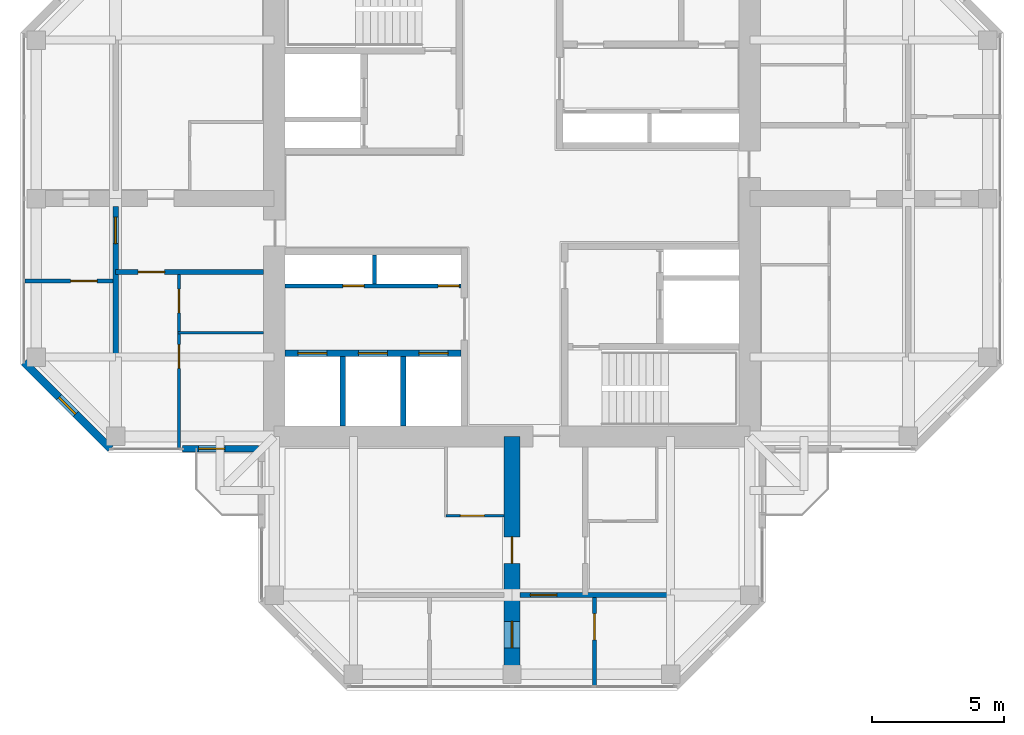
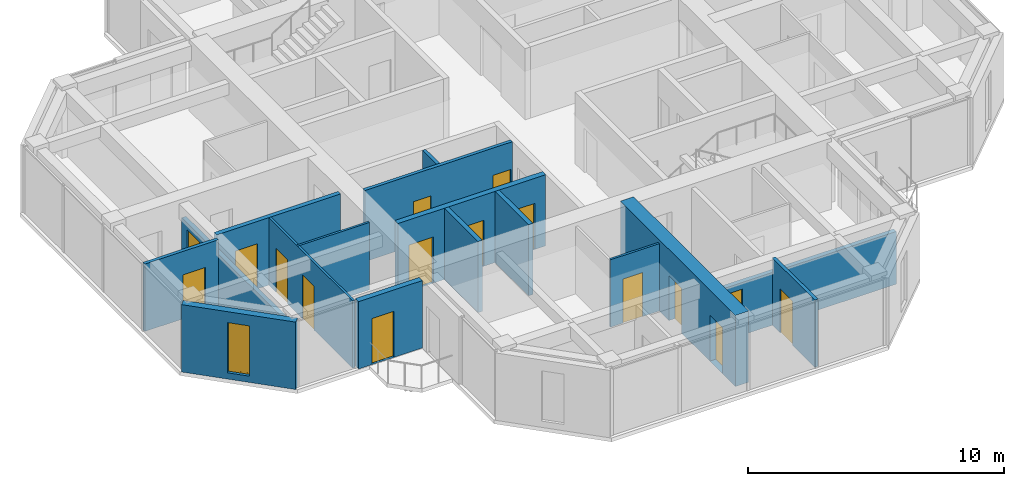
# One storey, part 8 of 13: 16 doors, 16 walls, 1 window, 17 openings.
"""IFC4 building model written with IfcOpenShell, lengths in metres."""

from ifc_helpers import new_model, si_unit, direction, frame, frame_2d, origin, place, context, subcontext, project, spatial, rectangle, hollow_rectangle, extrude, material, layer, layer_set, constituent, constituent_set, type_object, element, fill, save


model = new_model("IFC4")

# Units and contexts
model_context = context("Model", 3, precision=1e-05, world=origin(), true_north=direction((0.0, 1.0)))
body_context = subcontext(model_context, "Body", "Model", "MODEL_VIEW")
ifc_project = project(units=[si_unit("LENGTHUNIT", "METRE"), si_unit("AREAUNIT", "SQUARE_METRE"), si_unit("VOLUMEUNIT", "CUBIC_METRE"), si_unit("PLANEANGLEUNIT", "RADIAN"), si_unit("MASSUNIT", "GRAM", prefix="KILO")], contexts=[model_context])

# Site, building, storey
site_placement = place(None, origin())
site = spatial("IfcSite", under=ifc_project, at=site_placement, CompositionType="ELEMENT")
building_placement = place(site_placement, origin())
building = spatial("IfcBuilding", under=site, at=building_placement, Name="Torre Cruceta", CompositionType="ELEMENT")
storey_placement = place(building_placement, frame((0.0, 0.0, 281.5)))
storey = spatial("IfcBuildingStorey", under=building, at=storey_placement, Name="L73", CompositionType="ELEMENT", Elevation=281.5)

# Wall, opening, door
ifc_material_1 = material(Name="Water-resistant plasterboard on steel studs", Category="steel")
ifc_layer_1 = layer(ifc_material_1, 0.10009765625)
ifc_layer_set_1 = layer_set([ifc_layer_1], Name="Water-resistant plasterboard on steel studs")
wall_type_1 = type_object("IfcWallType", Name="BATHROOM WALL 100", PredefinedType="PARTITIONING", material=ifc_layer_set_1)
wall_1_placement = place(storey_placement, frame((-2.5, -12.0, 0.0), z_axis=(0.0, 0.0, 1.0), x_axis=(1.0, 0.0, 0.0)))
wall_1 = element("IfcWall", 1, at=wall_1_placement, inside=storey, type_object=wall_type_1, Name="PT4 L73-S-U1RBS", PredefinedType="PARTITIONING", context=body_context, shape_type="SweptSolid", body=[
    extrude(rectangle(XDim=2.199951171875, YDim=0.10009765625, at=frame_2d((1.10009765625, 0.0))), origin(), (0.0, 0.0, 1.0), 3.219970703125),
])
opening_1_placement = place(wall_1_placement, frame((0.550048828125, 0.0, 0.0)))
opening_1 = element("IfcOpeningElement", 2, at=opening_1_placement, cuts=wall_1, Name="Opening D7", PredefinedType="OPENING", context=body_context, shape_type="SweptSolid", body=[
    extrude(rectangle(XDim=0.89990234375, YDim=2.10009765625, at=frame_2d((0.449951171875, 1.050048828125))), frame((0.0, 0.06005859375, 0.0), z_axis=(0.0, -1.0, 0.0), x_axis=(1.0, 0.0, 0.0)), (0.0, 0.0, 1.0), 0.1201171875),
])
ifc_material_2 = material(Name="Timber door", Category="wood")
door_type_1 = type_object("IfcDoorType", Name="BATHROOM DOOR 900X2100", OperationType="SINGLE_SWING_LEFT", PredefinedType="DOOR", material=ifc_material_2)
door_1_placement = place(opening_1_placement, origin())
door_1 = element("IfcDoor", 3, at=door_1_placement, inside=storey, type_object=door_type_1, Name="D7 L73-S-U1RBS-D1", OperationType="SINGLE_SWING_LEFT", OverallHeight=2.10009765625, OverallWidth=0.89990234375, PredefinedType="DOOR", context=body_context, shape_type="SweptSolid", body=[
    extrude(rectangle(XDim=0.89990234375, YDim=2.10009765625, at=frame_2d((0.449951171875, 1.050048828125))), frame((0.0, 0.02490234375, 0.0), z_axis=(0.0, -1.0, 0.0), x_axis=(1.0, 0.0, 0.0)), (0.0, 0.0, 1.0), 0.050048828125),
])
fill(opening_1, door_1)

# Wall
wall_2_placement = place(storey_placement, frame((-9.39990234375, -5.074951171875, 0.0), z_axis=(0.0, 0.0, 1.0), x_axis=(-1.0, 0.0, 0.0)))
element("IfcWall", 4, at=wall_2_placement, inside=storey, type_object=wall_type_1, Name="PT4 L73-W-U1LBB", PredefinedType="PARTITIONING", context=body_context, shape_type="SweptSolid", body=[
    extrude(rectangle(XDim=3.25, YDim=0.10009765625, at=frame_2d((1.625, 0.0))), origin(), (0.0, 0.0, 1.0), 3.219970703125),
])

# Wall, openings, doors
wall_3_placement = place(storey_placement, frame((-12.60009765625, -2.875, 0.0), z_axis=(0.0, 0.0, 1.0), x_axis=(0.0, -1.0, 0.0)))
wall_3 = element("IfcWall", 5, at=wall_3_placement, inside=storey, type_object=wall_type_1, Name="PT4 L73-W-U1LBS", PredefinedType="PARTITIONING", context=body_context, shape_type="SweptSolid", body=[
    extrude(rectangle(XDim=6.554931640625, YDim=0.10009765625, at=frame_2d((3.27734375, 0.0))), origin(), (0.0, 0.0, 1.0), 3.219970703125),
])
opening_2_placement = place(wall_3_placement, frame((0.550048828125, 0.0, 0.0)))
opening_2 = element("IfcOpeningElement", 6, at=opening_2_placement, cuts=wall_3, Name="Opening D7", PredefinedType="OPENING", context=body_context, shape_type="SweptSolid", body=[
    extrude(rectangle(XDim=0.89990234375, YDim=2.10009765625, at=frame_2d((0.449951171875, 1.050048828125))), frame((0.0, 0.06005859375, 0.0), z_axis=(0.0, -1.0, 0.0), x_axis=(1.0, 0.0, 0.0)), (0.0, 0.0, 1.0), 0.1201171875),
])
opening_3_placement = place(wall_3_placement, frame((2.64990234375, 0.0, 0.0)))
opening_3 = element("IfcOpeningElement", 7, at=opening_3_placement, cuts=wall_3, Name="Opening D7", PredefinedType="OPENING", context=body_context, shape_type="SweptSolid", body=[
    extrude(rectangle(XDim=0.89990234375, YDim=2.10009765625, at=frame_2d((0.449951171875, 1.050048828125))), frame((0.0, 0.06005859375, 0.0), z_axis=(0.0, -1.0, 0.0), x_axis=(1.0, 0.0, 0.0)), (0.0, 0.0, 1.0), 0.1201171875),
])
door_2_placement = place(opening_2_placement, origin())
door_2 = element("IfcDoor", 8, at=door_2_placement, inside=storey, type_object=door_type_1, Name="D7 L73-W-U1LBS-D1", OperationType="SINGLE_SWING_LEFT", OverallHeight=2.10009765625, OverallWidth=0.89990234375, PredefinedType="DOOR", context=body_context, shape_type="SweptSolid", body=[
    extrude(rectangle(XDim=0.89990234375, YDim=2.10009765625, at=frame_2d((0.449951171875, 1.050048828125))), frame((0.0, 0.02490234375, 0.0), z_axis=(0.0, -1.0, 0.0), x_axis=(1.0, 0.0, 0.0)), (0.0, 0.0, 1.0), 0.050048828125),
])
fill(opening_2, door_2)
door_3_placement = place(opening_3_placement, origin())
door_3 = element("IfcDoor", 9, at=door_3_placement, inside=storey, type_object=door_type_1, Name="D7 L73-W-U1LBS-D2", OperationType="SINGLE_SWING_LEFT", OverallHeight=2.10009765625, OverallWidth=0.89990234375, PredefinedType="DOOR", context=body_context, shape_type="SweptSolid", body=[
    extrude(rectangle(XDim=0.89990234375, YDim=2.10009765625, at=frame_2d((0.449951171875, 1.050048828125))), frame((0.0, 0.02490234375, 0.0), z_axis=(0.0, -1.0, 0.0), x_axis=(1.0, 0.0, 0.0)), (0.0, 0.0, 1.0), 0.050048828125),
])
fill(opening_3, door_3)

ifc_material_3 = material(Name="Concrete G60 (fck 60 MPa)", Category="concrete")
ifc_layer_2 = layer(ifc_material_3, 0.25)
ifc_layer_set_2 = layer_set([ifc_layer_2], Name="Concrete G60 (fck 60 MPa)")
wall_type_2 = type_object("IfcWallType", Name="CORE INNER WALL 250 G60", PredefinedType="SHEAR", material=ifc_layer_set_2)
wall_4_placement = place(storey_placement, frame((-1.925048828125, -5.85009765625, 0.0), z_axis=(0.0, 0.0, 1.0), x_axis=(-1.0, 0.0, 0.0)))
wall_4 = element("IfcWall", 10, at=wall_4_placement, inside=storey, type_object=wall_type_2, Name="CW4 L73 SW-LV", PredefinedType="SHEAR", context=body_context, shape_type="SweptSolid", body=[
    extrude(rectangle(XDim=6.675048828125, YDim=0.25, at=frame_2d((3.33740234375, 0.0))), origin(), (0.0, 0.0, 1.0), 3.39990234375),
])
opening_4_placement = place(wall_4_placement, frame((0.495849609375, 0.0, 0.0)))
opening_4 = element("IfcOpeningElement", 11, at=opening_4_placement, cuts=wall_4, Name="Opening LD1", PredefinedType="OPENING", context=body_context, shape_type="SweptSolid", body=[
    extrude(rectangle(XDim=1.10009765625, YDim=2.199951171875, at=frame_2d((0.550048828125, 1.10009765625))), frame((0.0, 0.135009765625, 0.0), z_axis=(0.0, -1.0, 0.0), x_axis=(1.0, 0.0, 0.0)), (0.0, 0.0, 1.0), 0.27001953125),
])
opening_5_placement = place(wall_4_placement, frame((2.78759765625, 0.0, 0.0)))
opening_5 = element("IfcOpeningElement", 12, at=opening_5_placement, cuts=wall_4, Name="Opening LD1", PredefinedType="OPENING", context=body_context, shape_type="SweptSolid", body=[
    extrude(rectangle(XDim=1.10009765625, YDim=2.199951171875, at=frame_2d((0.550048828125, 1.10009765625))), frame((0.0, 0.135009765625, 0.0), z_axis=(0.0, -1.0, 0.0), x_axis=(1.0, 0.0, 0.0)), (0.0, 0.0, 1.0), 0.27001953125),
])
opening_6_placement = place(wall_4_placement, frame((5.0791015625, 0.0, 0.0)))
opening_6 = element("IfcOpeningElement", 13, at=opening_6_placement, cuts=wall_4, Name="Opening LD1", PredefinedType="OPENING", context=body_context, shape_type="SweptSolid", body=[
    extrude(rectangle(XDim=1.10009765625, YDim=2.199951171875, at=frame_2d((0.550048828125, 1.10009765625))), frame((0.0, 0.135009765625, 0.0), z_axis=(0.0, -1.0, 0.0), x_axis=(1.0, 0.0, 0.0)), (0.0, 0.0, 1.0), 0.27001953125),
])
ifc_material_4 = material(Name="Stainless steel 1.4401", Category="steel")
door_type_2 = type_object("IfcDoorType", Name="LIFT LANDING DOOR 1100X2200", OperationType="DOUBLE_DOOR_SLIDING", PredefinedType="DOOR", material=ifc_material_4)
door_4_placement = place(opening_4_placement, origin())
door_4 = element("IfcDoor", 14, at=door_4_placement, inside=storey, type_object=door_type_2, Name="Lift landing door R1", OperationType="DOUBLE_DOOR_SLIDING", OverallHeight=2.199951171875, OverallWidth=1.10009765625, PredefinedType="DOOR", context=body_context, shape_type="SweptSolid", body=[
    extrude(rectangle(XDim=1.10009765625, YDim=2.199951171875, at=frame_2d((0.550048828125, 1.10009765625))), frame((0.0, 0.02490234375, 0.0), z_axis=(0.0, -1.0, 0.0), x_axis=(1.0, 0.0, 0.0)), (0.0, 0.0, 1.0), 0.050048828125),
])
fill(opening_4, door_4)
door_5_placement = place(opening_5_placement, origin())
door_5 = element("IfcDoor", 15, at=door_5_placement, inside=storey, type_object=door_type_2, Name="Lift landing door R2", OperationType="DOUBLE_DOOR_SLIDING", OverallHeight=2.199951171875, OverallWidth=1.10009765625, PredefinedType="DOOR", context=body_context, shape_type="SweptSolid", body=[
    extrude(rectangle(XDim=1.10009765625, YDim=2.199951171875, at=frame_2d((0.550048828125, 1.10009765625))), frame((0.0, 0.02490234375, 0.0), z_axis=(0.0, -1.0, 0.0), x_axis=(1.0, 0.0, 0.0)), (0.0, 0.0, 1.0), 0.050048828125),
])
fill(opening_5, door_5)
door_6_placement = place(opening_6_placement, origin())
door_6 = element("IfcDoor", 16, at=door_6_placement, inside=storey, type_object=door_type_2, Name="Lift landing door R3", OperationType="DOUBLE_DOOR_SLIDING", OverallHeight=2.199951171875, OverallWidth=1.10009765625, PredefinedType="DOOR", context=body_context, shape_type="SweptSolid", body=[
    extrude(rectangle(XDim=1.10009765625, YDim=2.199951171875, at=frame_2d((0.550048828125, 1.10009765625))), frame((0.0, 0.02490234375, 0.0), z_axis=(0.0, -1.0, 0.0), x_axis=(1.0, 0.0, 0.0)), (0.0, 0.0, 1.0), 0.050048828125),
])
fill(opening_6, door_6)

# Wall, opening, door
ifc_material_5 = material(Name="Concrete G25 (fck 25 MPa)", Category="concrete")
ifc_layer_3 = layer(ifc_material_5, 0.199951171875)
ifc_layer_set_3 = layer_set([ifc_layer_3], Name="Concrete G25 (fck 25 MPa)")
wall_type_3 = type_object("IfcWallType", Name="CORRIDOR WALL 200", PredefinedType="SOLIDWALL", material=ifc_layer_set_3)
wall_5_placement = place(storey_placement, frame((-9.39990234375, -2.77490234375, 0.0), z_axis=(0.0, 0.0, 1.0), x_axis=(-1.0, 0.0, 0.0)))
wall_5 = element("IfcWall", 17, at=wall_5_placement, inside=storey, type_object=wall_type_3, Name="PT3 L73-W-CL", PredefinedType="SOLIDWALL", context=body_context, shape_type="SweptSolid", body=[
    extrude(rectangle(XDim=5.60009765625, YDim=0.199951171875, at=frame_2d((2.800048828125, 0.0))), origin(), (0.0, 0.0, 1.0), 3.219970703125),
])
opening_7_placement = place(wall_5_placement, frame((3.75, 0.0, 0.0)))
opening_7 = element("IfcOpeningElement", 18, at=opening_7_placement, cuts=wall_5, Name="Opening D6", PredefinedType="OPENING", context=body_context, shape_type="SweptSolid", body=[
    extrude(rectangle(XDim=1.0, YDim=2.14990234375, at=frame_2d((0.5, 1.074951171875))), frame((0.0, 0.10986328125, 0.0), z_axis=(0.0, -1.0, 0.0), x_axis=(1.0, 0.0, 0.0)), (0.0, 0.0, 1.0), 0.219970703125),
])
ifc_material_6 = material(Name="Timber fire door", Category="wood")
door_type_3 = type_object("IfcDoorType", Name="UNIT ENTRANCE DOOR 1000X2150", OperationType="SINGLE_SWING_LEFT", PredefinedType="DOOR", material=ifc_material_6)
door_7_placement = place(opening_7_placement, origin())
door_7 = element("IfcDoor", 19, at=door_7_placement, inside=storey, type_object=door_type_3, Name="D6 L73-W-CL-D1", OperationType="SINGLE_SWING_LEFT", OverallHeight=2.14990234375, OverallWidth=1.0, PredefinedType="DOOR", context=body_context, shape_type="SweptSolid", body=[
    extrude(rectangle(XDim=1.0, YDim=2.14990234375, at=frame_2d((0.5, 1.074951171875))), frame((0.0, 0.02490234375, 0.0), z_axis=(0.0, -1.0, 0.0), x_axis=(1.0, 0.0, 0.0)), (0.0, 0.0, 1.0), 0.050048828125),
])
fill(opening_7, door_7)

# Wall, opening, window
ifc_material_7 = material(Name="Concrete G30 (fck 30 MPa)", Category="concrete")
ifc_layer_4 = layer(ifc_material_7, 0.300048828125)
ifc_layer_set_4 = layer_set([ifc_layer_4], Name="Concrete G30 (fck 30 MPa)")
wall_type_4 = type_object("IfcWallType", Name="EXPOSED CONCRETE FACADE WALL 300", PredefinedType="SOLIDWALL", material=ifc_layer_set_4)
wall_6_placement = place(storey_placement, frame((-18.469970703125, -6.194580078125, 0.0), z_axis=(0.0, 0.0, 1.0), x_axis=(0.707106781187, -0.707106781187, 0.0)))
wall_6 = element("IfcWall", 20, at=wall_6_placement, inside=storey, type_object=wall_type_4, Name="EW1 facade wall L73 W chamfer 13", PredefinedType="SOLIDWALL", context=body_context, shape_type="SweptSolid", body=[
    extrude(rectangle(XDim=4.632080078125, YDim=0.300048828125, at=frame_2d((2.31591796875, 0.0))), origin(), (0.0, 0.0, 1.0), 3.219970703125),
])
opening_8_placement = place(wall_6_placement, frame((1.865966796875, 0.0, 0.300048828125)))
opening_8 = element("IfcOpeningElement", 21, at=opening_8_placement, cuts=wall_6, Name="Opening WN5", PredefinedType="OPENING", context=body_context, shape_type="SweptSolid", body=[
    extrude(rectangle(XDim=0.89990234375, YDim=2.39990234375, at=frame_2d((0.449951171875, 1.199951171875))), frame((0.0, 0.159912109375, 0.0), z_axis=(0.0, -1.0, 0.0), x_axis=(1.0, 0.0, 0.0)), (0.0, 0.0, 1.0), 0.320068359375),
])
ifc_material_8 = material(Name="Aluminium window frame", Category="aluminium")
ifc_constituent_1 = constituent(ifc_material_8, Name="Frame")
ifc_material_9 = material(Name="Laminated insulating glass unit, low-iron clear", Category="glass")
ifc_constituent_2 = constituent(ifc_material_9, Name="Glazing")
ifc_constituent_set_1 = constituent_set(constituents=[ifc_constituent_1, ifc_constituent_2], Name="Aluminium window")
window_type = type_object("IfcWindowType", Name="CHAMFER SLOT WINDOW 900X2400", PartitioningType="SINGLE_PANEL", PredefinedType="WINDOW", material=ifc_constituent_set_1)
window_placement = place(opening_8_placement, origin())
window = element("IfcWindow", 22, at=window_placement, inside=storey, type_object=window_type, Name="WN5 L73 W 1", OverallHeight=2.39990234375, OverallWidth=0.89990234375, PartitioningType="SINGLE_PANEL", PredefinedType="WINDOW", context=body_context, shape_type="SweptSolid", body=[
    extrude(hollow_rectangle(XDim=0.89990234375, YDim=2.39990234375, WallThickness=0.06005859375, at=frame_2d((0.449951171875, 1.199951171875))), frame((0.0, 0.030029296875, 0.0), z_axis=(0.0, -1.0, 0.0), x_axis=(1.0, 0.0, 0.0)), (0.0, 0.0, 1.0), 0.06005859375),
    extrude(rectangle(XDim=0.77880859375, YDim=2.27880859375, at=frame_2d((0.449951171875, 1.199951171875))), frame((0.0, 0.030029296875, 0.0), z_axis=(0.0, -1.0, 0.0), x_axis=(1.0, 0.0, 0.0)), (0.0, 0.0, 1.0), 0.06005859375),
])
fill(opening_8, window)

# Walls
ifc_material_10 = material(Name="Concrete G35 (fck 35 MPa)", Category="concrete")
ifc_layer_5 = layer(ifc_material_10, 0.199951171875)
ifc_layer_set_5 = layer_set([ifc_layer_5], Name="Concrete G35 (fck 35 MPa)")
wall_type_5 = type_object("IfcWallType", Name="LIFT SHAFT WALL 200", PredefinedType="PARTITIONING", material=ifc_layer_set_5)
for number, where, z_axis, x_axis, name in (
    (23, (-4.11669921875, -5.97509765625, 0.0), (0.0, 0.0, 1.0), (0.0, -1.0, 0.0), "SW1 L73 SW-LS1"),
    (24, (-6.408447265625, -5.97509765625, 0.0), (0.0, 0.0, 1.0), (0.0, -1.0, 0.0), "SW1 L73 SW-LS2"),
):
    element("IfcWall", number, at=place(storey_placement, frame(where, z_axis=z_axis, x_axis=x_axis)), inside=storey, type_object=wall_type_5, Name=name, PredefinedType="PARTITIONING", context=body_context, shape_type="SweptSolid", body=[
        extrude(rectangle(XDim=2.625, YDim=0.199951171875, at=frame_2d((1.3125, 0.0))), origin(), (0.0, 0.0, 1.0), 3.39990234375),
    ])

# Wall, opening, door
ifc_material_11 = material(Name="Plasterboard on steel studs", Category="steel")
ifc_layer_6 = layer(ifc_material_11, 0.14990234375)
ifc_layer_set_6 = layer_set([ifc_layer_6], Name="Plasterboard on steel studs")
wall_type_6 = type_object("IfcWallType", Name="PARTITION 150", PredefinedType="PARTITIONING", material=ifc_layer_set_6)
wall_7_placement = place(storey_placement, frame((3.117919921875, -15.10009765625, 0.0), z_axis=(0.0, 0.0, 1.0), x_axis=(0.0, -1.0, 0.0)))
wall_7 = element("IfcWall", 25, at=wall_7_placement, inside=storey, type_object=wall_type_6, Name="PT1 L73-S-ENDX", PredefinedType="PARTITIONING", context=body_context, shape_type="SweptSolid", body=[
    extrude(rectangle(XDim=3.329833984375, YDim=0.14990234375, at=frame_2d((1.6650390625, 0.0))), origin(), (0.0, 0.0, 1.0), 3.219970703125),
])
opening_9_placement = place(wall_7_placement, frame((0.60009765625, 0.0, 0.0)))
opening_9 = element("IfcOpeningElement", 26, at=opening_9_placement, cuts=wall_7, Name="Opening D3", PredefinedType="OPENING", context=body_context, shape_type="SweptSolid", body=[
    extrude(rectangle(XDim=1.0, YDim=2.10009765625, at=frame_2d((0.5, 1.050048828125))), frame((0.0, 0.0849609375, 0.0), z_axis=(0.0, -1.0, 0.0), x_axis=(1.0, 0.0, 0.0)), (0.0, 0.0, 1.0), 0.169921875),
])
ifc_material_12 = material(Name="Steel DX51D", Category="steel")
ifc_constituent_3 = constituent(ifc_material_12, Name="Leaf and frame")
ifc_material_13 = material(Name="Polyester powder coating", Category="paint")
ifc_constituent_4 = constituent(ifc_material_13, Name="Finish")
ifc_constituent_set_2 = constituent_set(constituents=[ifc_constituent_3, ifc_constituent_4], Name="Steel fire door")
door_type_4 = type_object("IfcDoorType", Name="FIRE DOOR 1000X2100", OperationType="SINGLE_SWING_LEFT", PredefinedType="DOOR", material=ifc_constituent_set_2)
door_8_placement = place(opening_9_placement, frame((1.0, 0.0, 0.0), z_axis=(0.0, 0.0, 1.0), x_axis=(-1.0, 0.0, 0.0)))
door_8 = element("IfcDoor", 27, at=door_8_placement, inside=storey, type_object=door_type_4, Name="D3 L73-S-ENDX-D1", OperationType="SINGLE_SWING_RIGHT", OverallHeight=2.10009765625, OverallWidth=1.0, PredefinedType="DOOR", context=body_context, shape_type="SweptSolid", body=[
    extrude(rectangle(XDim=1.0, YDim=2.10009765625, at=frame_2d((0.5, 1.050048828125))), frame((0.0, 0.025146484375, 0.0), z_axis=(0.0, -1.0, 0.0), x_axis=(1.0, 0.0, 0.0)), (0.0, 0.0, 1.0), 0.050048828125),
])
fill(opening_9, door_8)

wall_8_placement = place(storey_placement, frame((-15.10009765625, -3.117919921875, 0.0), z_axis=(0.0, 0.0, 1.0), x_axis=(-1.0, 0.0, 0.0)))
wall_8 = element("IfcWall", 28, at=wall_8_placement, inside=storey, type_object=wall_type_6, Name="PT1 L73-W-ENDX", PredefinedType="PARTITIONING", context=body_context, shape_type="SweptSolid", body=[
    extrude(rectangle(XDim=3.329833984375, YDim=0.14990234375, at=frame_2d((1.6650390625, 0.0))), origin(), (0.0, 0.0, 1.0), 3.219970703125),
])
opening_10_placement = place(wall_8_placement, frame((0.60009765625, 0.0, 0.0)))
opening_10 = element("IfcOpeningElement", 29, at=opening_10_placement, cuts=wall_8, Name="Opening D3", PredefinedType="OPENING", context=body_context, shape_type="SweptSolid", body=[
    extrude(rectangle(XDim=1.0, YDim=2.10009765625, at=frame_2d((0.5, 1.050048828125))), frame((0.0, 0.0849609375, 0.0), z_axis=(0.0, -1.0, 0.0), x_axis=(1.0, 0.0, 0.0)), (0.0, 0.0, 1.0), 0.169921875),
])
door_9_placement = place(opening_10_placement, frame((1.0, 0.0, 0.0), z_axis=(0.0, 0.0, 1.0), x_axis=(-1.0, 0.0, 0.0)))
door_9 = element("IfcDoor", 30, at=door_9_placement, inside=storey, type_object=door_type_4, Name="D3 L73-W-ENDX-D1", OperationType="SINGLE_SWING_RIGHT", OverallHeight=2.10009765625, OverallWidth=1.0, PredefinedType="DOOR", context=body_context, shape_type="SweptSolid", body=[
    extrude(rectangle(XDim=1.0, YDim=2.10009765625, at=frame_2d((0.5, 1.050048828125))), frame((0.0, 0.025146484375, 0.0), z_axis=(0.0, -1.0, 0.0), x_axis=(1.0, 0.0, 0.0)), (0.0, 0.0, 1.0), 0.050048828125),
])
fill(opening_10, door_9)

# Wall, openings, doors
ifc_material_14 = material(Name="Concrete block masonry", Category="masonry")
ifc_layer_7 = layer(ifc_material_14, 0.14990234375)
ifc_layer_set_7 = layer_set([ifc_layer_7], Name="Concrete block masonry")
wall_type_7 = type_object("IfcWallType", Name="RISER WALL 150", PredefinedType="PARTITIONING", material=ifc_layer_set_7)
wall_9_placement = place(storey_placement, frame((-1.925048828125, -3.300048828125, 0.0), z_axis=(0.0, 0.0, 1.0), x_axis=(-1.0, 0.0, 0.0)))
wall_9 = element("IfcWall", 31, at=wall_9_placement, inside=storey, type_object=wall_type_7, Name="SW7 L73 SW-RV", PredefinedType="PARTITIONING", context=body_context, shape_type="SweptSolid", body=[
    extrude(rectangle(XDim=6.675048828125, YDim=0.14990234375, at=frame_2d((3.33740234375, 0.0))), origin(), (0.0, 0.0, 1.0), 3.39990234375),
])
opening_11_placement = place(wall_9_placement, frame((0.074951171875, 0.0, 0.0)))
opening_11 = element("IfcOpeningElement", 32, at=opening_11_placement, cuts=wall_9, Name="Opening D5", PredefinedType="OPENING", context=body_context, shape_type="SweptSolid", body=[
    extrude(rectangle(XDim=0.800048828125, YDim=2.10009765625, at=frame_2d((0.39990234375, 1.050048828125))), frame((0.0, 0.0849609375, 0.0), z_axis=(0.0, -1.0, 0.0), x_axis=(1.0, 0.0, 0.0)), (0.0, 0.0, 1.0), 0.169921875),
])
opening_12_placement = place(wall_9_placement, frame((3.675048828125, 0.0, 0.0)))
opening_12 = element("IfcOpeningElement", 33, at=opening_12_placement, cuts=wall_9, Name="Opening D5", PredefinedType="OPENING", context=body_context, shape_type="SweptSolid", body=[
    extrude(rectangle(XDim=0.800048828125, YDim=2.10009765625, at=frame_2d((0.39990234375, 1.050048828125))), frame((0.0, 0.0849609375, 0.0), z_axis=(0.0, -1.0, 0.0), x_axis=(1.0, 0.0, 0.0)), (0.0, 0.0, 1.0), 0.169921875),
])
ifc_material_15 = material(Name="Steel DX51D", Category="steel")
ifc_constituent_5 = constituent(ifc_material_15, Name="Leaf and frame")
ifc_material_16 = material(Name="Polyester powder coating", Category="paint")
ifc_constituent_6 = constituent(ifc_material_16, Name="Finish")
ifc_constituent_set_3 = constituent_set(constituents=[ifc_constituent_5, ifc_constituent_6], Name="Steel fire door")
door_type_5 = type_object("IfcDoorType", Name="RISER ACCESS DOOR 800X2100", OperationType="SINGLE_SWING_LEFT", PredefinedType="DOOR", material=ifc_constituent_set_3)
door_10_placement = place(opening_11_placement, frame((0.800048828125, 0.0, 0.0), z_axis=(0.0, 0.0, 1.0), x_axis=(-1.0, 0.0, 0.0)))
door_10 = element("IfcDoor", 34, at=door_10_placement, inside=storey, type_object=door_type_5, Name="D5 L73 SW-RISER1", OperationType="SINGLE_SWING_RIGHT", OverallHeight=2.10009765625, OverallWidth=0.800048828125, PredefinedType="DOOR", context=body_context, shape_type="SweptSolid", body=[
    extrude(rectangle(XDim=0.800048828125, YDim=2.10009765625, at=frame_2d((0.400146484375, 1.050048828125))), frame((0.0, 0.025146484375, 0.0), z_axis=(0.0, -1.0, 0.0), x_axis=(1.0, 0.0, 0.0)), (0.0, 0.0, 1.0), 0.050048828125),
])
fill(opening_11, door_10)
door_11_placement = place(opening_12_placement, frame((0.800048828125, 0.0, 0.0), z_axis=(0.0, 0.0, 1.0), x_axis=(-1.0, 0.0, 0.0)))
door_11 = element("IfcDoor", 35, at=door_11_placement, inside=storey, type_object=door_type_5, Name="D5 L73 SW-RISER2", OperationType="SINGLE_SWING_RIGHT", OverallHeight=2.10009765625, OverallWidth=0.800048828125, PredefinedType="DOOR", context=body_context, shape_type="SweptSolid", body=[
    extrude(rectangle(XDim=0.800048828125, YDim=2.10009765625, at=frame_2d((0.400146484375, 1.050048828125))), frame((0.0, 0.025146484375, 0.0), z_axis=(0.0, -1.0, 0.0), x_axis=(1.0, 0.0, 0.0)), (0.0, 0.0, 1.0), 0.050048828125),
])
fill(opening_12, door_11)

# Wall
wall_10_placement = place(storey_placement, frame((-5.199951171875, -2.125, 0.0), z_axis=(0.0, 0.0, 1.0), x_axis=(0.0, -1.0, 0.0)))
element("IfcWall", 36, at=wall_10_placement, inside=storey, type_object=wall_type_7, Name="SW7 L73 SW-RU", PredefinedType="PARTITIONING", context=body_context, shape_type="SweptSolid", body=[
    extrude(rectangle(XDim=1.10009765625, YDim=0.14990234375, at=frame_2d((0.550048828125, 0.0))), origin(), (0.0, 0.0, 1.0), 3.39990234375),
])

# Wall, openings, doors
ifc_material_17 = material(Name="Concrete G60 (fck 60 MPa)", Category="concrete")
ifc_layer_8 = layer(ifc_material_17, 0.60009765625)
ifc_layer_set_8 = layer_set([ifc_layer_8], Name="Concrete G60 (fck 60 MPa)")
wall_type_8 = type_object("IfcWallType", Name="SPINE WALL 600 G60", PredefinedType="SHEAR", material=ifc_layer_set_8)
wall_11_placement = place(storey_placement, frame((0.0, -9.0, 0.0), z_axis=(0.0, 0.0, 1.0), x_axis=(0.0, -1.0, 0.0)))
wall_11 = element("IfcWall", 37, at=wall_11_placement, inside=storey, type_object=wall_type_8, Name="SW5 spine wall L73 S", PredefinedType="SHEAR", context=body_context, shape_type="SweptSolid", body=[
    extrude(rectangle(XDim=9.0, YDim=0.60009765625, at=frame_2d((4.5, 0.0))), origin(), (0.0, 0.0, 1.0), 3.39990234375),
])
opening_13_placement = place(wall_11_placement, frame((3.800048828125, 0.0, 0.0)))
opening_13 = element("IfcOpeningElement", 38, at=opening_13_placement, cuts=wall_11, Name="Opening D6", PredefinedType="OPENING", context=body_context, shape_type="SweptSolid", body=[
    extrude(rectangle(XDim=1.0, YDim=2.14990234375, at=frame_2d((0.5, 1.074951171875))), frame((0.0, 0.31005859375, 0.0), z_axis=(0.0, -1.0, 0.0), x_axis=(1.0, 0.0, 0.0)), (0.0, 0.0, 1.0), 0.6201171875),
])
opening_14_placement = place(wall_11_placement, frame((7.0, 0.0, 0.0)))
opening_14 = element("IfcOpeningElement", 39, at=opening_14_placement, cuts=wall_11, Name="Opening D14", PredefinedType="OPENING", context=body_context, shape_type="SweptSolid", body=[
    extrude(rectangle(XDim=1.0, YDim=2.199951171875, at=frame_2d((0.5, 1.10009765625))), frame((0.0, 0.31005859375, 0.0), z_axis=(0.0, -1.0, 0.0), x_axis=(1.0, 0.0, 0.0)), (0.0, 0.0, 1.0), 0.6201171875),
])
ifc_material_18 = material(Name="Steel DX51D", Category="steel")
ifc_constituent_7 = constituent(ifc_material_18, Name="Leaf and frame")
ifc_material_19 = material(Name="Polyester powder coating", Category="paint")
ifc_constituent_8 = constituent(ifc_material_19, Name="Finish")
ifc_material_20 = material(Name="Fire-resisting glass", Category="glass")
ifc_constituent_9 = constituent(ifc_material_20, Name="Vision panel")
ifc_constituent_set_4 = constituent_set(constituents=[ifc_constituent_7, ifc_constituent_8, ifc_constituent_9], Name="Steel fire door with vision panel")
door_type_6 = type_object("IfcDoorType", Name="FIRE DOOR VISION PANEL 1000X2200", OperationType="SINGLE_SWING_RIGHT", PredefinedType="DOOR", material=ifc_constituent_set_4)
door_12_placement = place(opening_14_placement, origin())
door_12 = element("IfcDoor", 40, at=door_12_placement, inside=storey, type_object=door_type_6, Name="D14 L73-S-SP2", OperationType="SINGLE_SWING_LEFT", OverallHeight=2.199951171875, OverallWidth=1.0, PredefinedType="DOOR", context=body_context, shape_type="SweptSolid", body=[
    extrude(rectangle(XDim=1.0, YDim=2.199951171875, at=frame_2d((0.5, 1.10009765625))), frame((0.0, 0.02490234375, 0.0), z_axis=(0.0, -1.0, 0.0), x_axis=(1.0, 0.0, 0.0)), (0.0, 0.0, 1.0), 0.050048828125),
])
fill(opening_14, door_12)
door_13_placement = place(opening_13_placement, frame((1.0, 0.0, 0.0), z_axis=(0.0, 0.0, 1.0), x_axis=(-1.0, 0.0, 0.0)))
door_13 = element("IfcDoor", 41, at=door_13_placement, inside=storey, type_object=door_type_3, Name="D6 L73-S-SP1", OperationType="SINGLE_SWING_RIGHT", OverallHeight=2.14990234375, OverallWidth=1.0, PredefinedType="DOOR", context=body_context, shape_type="SweptSolid", body=[
    extrude(rectangle(XDim=1.0, YDim=2.14990234375, at=frame_2d((0.5, 1.074951171875))), frame((0.0, 0.025146484375, 0.0), z_axis=(0.0, -1.0, 0.0), x_axis=(1.0, 0.0, 0.0)), (0.0, 0.0, 1.0), 0.050048828125),
])
fill(opening_13, door_13)

# Wall, opening, door
ifc_material_21 = material(Name="Concrete G25 (fck 25 MPa)", Category="concrete")
ifc_layer_9 = layer(ifc_material_21, 0.199951171875)
ifc_layer_set_9 = layer_set([ifc_layer_9], Name="Concrete G25 (fck 25 MPa)")
wall_type_9 = type_object("IfcWallType", Name="UNIT SEPARATING WALL 200", PredefinedType="SOLIDWALL", material=ifc_layer_set_9)
wall_12_placement = place(storey_placement, frame((0.300048828125, -15.0, 0.0), z_axis=(0.0, 0.0, 1.0), x_axis=(1.0, 0.0, 0.0)))
wall_12 = element("IfcWall", 42, at=wall_12_placement, inside=storey, type_object=wall_type_9, Name="PT2 L73-S-ENDb", PredefinedType="SOLIDWALL", context=body_context, shape_type="SweptSolid", body=[
    extrude(rectangle(XDim=8.349853515625, YDim=0.199951171875, at=frame_2d((4.1748046875, 0.0))), origin(), (0.0, 0.0, 1.0), 2.52001953125),
])
opening_15_placement = place(wall_12_placement, frame((0.39990234375, 0.0, 0.0)))
opening_15 = element("IfcOpeningElement", 43, at=opening_15_placement, cuts=wall_12, Name="Opening D14", PredefinedType="OPENING", context=body_context, shape_type="SweptSolid", body=[
    extrude(rectangle(XDim=1.0, YDim=2.199951171875, at=frame_2d((0.5, 1.10009765625))), frame((0.0, 0.10986328125, 0.0), z_axis=(0.0, -1.0, 0.0), x_axis=(1.0, 0.0, 0.0)), (0.0, 0.0, 1.0), 0.219970703125),
])
door_14_placement = place(opening_15_placement, frame((1.0, 0.0, 0.0), z_axis=(0.0, 0.0, 1.0), x_axis=(-1.0, 0.0, 0.0)))
door_14 = element("IfcDoor", 44, at=door_14_placement, inside=storey, type_object=door_type_6, Name="D14 L73-S-ENDb-D1", OperationType="SINGLE_SWING_LEFT", OverallHeight=2.199951171875, OverallWidth=1.0, PredefinedType="DOOR", context=body_context, shape_type="SweptSolid", body=[
    extrude(rectangle(XDim=1.0, YDim=2.199951171875, at=frame_2d((0.5, 1.10009765625))), frame((0.0, 0.025146484375, 0.0), z_axis=(0.0, -1.0, 0.0), x_axis=(1.0, 0.0, 0.0)), (0.0, 0.0, 1.0), 0.050048828125),
])
fill(opening_15, door_14)

wall_13_placement = place(storey_placement, frame((-15.0, -0.300048828125, 0.0), z_axis=(0.0, 0.0, 1.0), x_axis=(0.0, -1.0, 0.0)))
wall_13 = element("IfcWall", 45, at=wall_13_placement, inside=storey, type_object=wall_type_9, Name="PT2 L73-W-ENDb", PredefinedType="SOLIDWALL", context=body_context, shape_type="SweptSolid", body=[
    extrude(rectangle(XDim=8.349853515625, YDim=0.199951171875, at=frame_2d((4.1748046875, 0.0))), origin(), (0.0, 0.0, 1.0), 2.52001953125),
])
opening_16_placement = place(wall_13_placement, frame((0.39990234375, 0.0, 0.0)))
opening_16 = element("IfcOpeningElement", 46, at=opening_16_placement, cuts=wall_13, Name="Opening D14", PredefinedType="OPENING", context=body_context, shape_type="SweptSolid", body=[
    extrude(rectangle(XDim=1.0, YDim=2.199951171875, at=frame_2d((0.5, 1.10009765625))), frame((0.0, 0.10986328125, 0.0), z_axis=(0.0, -1.0, 0.0), x_axis=(1.0, 0.0, 0.0)), (0.0, 0.0, 1.0), 0.219970703125),
])
door_15_placement = place(opening_16_placement, frame((1.0, 0.0, 0.0), z_axis=(0.0, 0.0, 1.0), x_axis=(-1.0, 0.0, 0.0)))
door_15 = element("IfcDoor", 47, at=door_15_placement, inside=storey, type_object=door_type_6, Name="D14 L73-W-ENDb-D1", OperationType="SINGLE_SWING_LEFT", OverallHeight=2.199951171875, OverallWidth=1.0, PredefinedType="DOOR", context=body_context, shape_type="SweptSolid", body=[
    extrude(rectangle(XDim=1.0, YDim=2.199951171875, at=frame_2d((0.5, 1.10009765625))), frame((0.0, 0.025146484375, 0.0), z_axis=(0.0, -1.0, 0.0), x_axis=(1.0, 0.0, 0.0)), (0.0, 0.0, 1.0), 0.050048828125),
])
fill(opening_16, door_15)

ifc_material_22 = material(Name="Concrete G30 (fck 30 MPa)", Category="concrete")
ifc_layer_10 = layer(ifc_material_22, 0.25)
ifc_layer_set_10 = layer_set([ifc_layer_10], Name="Concrete G30 (fck 30 MPa)")
wall_type_10 = type_object("IfcWallType", Name="WINTER GARDEN WALL 250", PredefinedType="SOLIDWALL", material=ifc_layer_set_10)
wall_14_placement = place(storey_placement, frame((-12.469970703125, -9.469970703125, 0.0), z_axis=(0.0, 0.0, 1.0), x_axis=(1.0, 0.0, 0.0)))
wall_14 = element("IfcWall", 48, at=wall_14_placement, inside=storey, type_object=wall_type_10, Name="EW2 winter garden wall L73 14", PredefinedType="SOLIDWALL", context=body_context, shape_type="SweptSolid", body=[
    extrude(rectangle(XDim=2.875, YDim=0.25, at=frame_2d((1.4375, 0.0))), origin(), (0.0, 0.0, 1.0), 3.219970703125),
])
opening_17_placement = place(wall_14_placement, frame((0.60009765625, 0.0, 0.0)))
opening_17 = element("IfcOpeningElement", 49, at=opening_17_placement, cuts=wall_14, Name="Opening D10", PredefinedType="OPENING", context=body_context, shape_type="SweptSolid", body=[
    extrude(rectangle(XDim=1.0, YDim=2.199951171875, at=frame_2d((0.5, 1.10009765625))), frame((0.0, 0.135009765625, 0.0), z_axis=(0.0, -1.0, 0.0), x_axis=(1.0, 0.0, 0.0)), (0.0, 0.0, 1.0), 0.27001953125),
])
ifc_material_23 = material(Name="Aluminium door frame", Category="aluminium")
ifc_constituent_10 = constituent(ifc_material_23, Name="Frame")
ifc_material_24 = material(Name="Laminated safety glass", Category="glass")
ifc_constituent_11 = constituent(ifc_material_24, Name="Glazing")
ifc_constituent_set_5 = constituent_set(constituents=[ifc_constituent_10, ifc_constituent_11], Name="Aluminium glazed door")
door_type_7 = type_object("IfcDoorType", Name="BALCONY DOOR 1000X2200", OperationType="SINGLE_SWING_RIGHT", PredefinedType="DOOR", material=ifc_constituent_set_5)
door_16_placement = place(opening_17_placement, origin())
door_16 = element("IfcDoor", 50, at=door_16_placement, inside=storey, type_object=door_type_7, Name="D10 balcony door L73 14", OperationType="SINGLE_SWING_LEFT", OverallHeight=2.199951171875, OverallWidth=1.0, PredefinedType="DOOR", context=body_context, shape_type="SweptSolid", body=[
    extrude(hollow_rectangle(XDim=1.0, YDim=2.199951171875, WallThickness=0.06005859375, at=frame_2d((0.5, 1.10009765625))), frame((0.0, 0.02490234375, 0.0), z_axis=(0.0, -1.0, 0.0), x_axis=(1.0, 0.0, 0.0)), (0.0, 0.0, 1.0), 0.050048828125),
    extrude(rectangle(XDim=0.87890625, YDim=2.078857421875, at=frame_2d((0.5, 1.10009765625))), frame((0.0, 0.02490234375, 0.0), z_axis=(0.0, -1.0, 0.0), x_axis=(1.0, 0.0, 0.0)), (0.0, 0.0, 1.0), 0.050048828125),
])
fill(opening_17, door_16)

save(model, "model.ifc")
